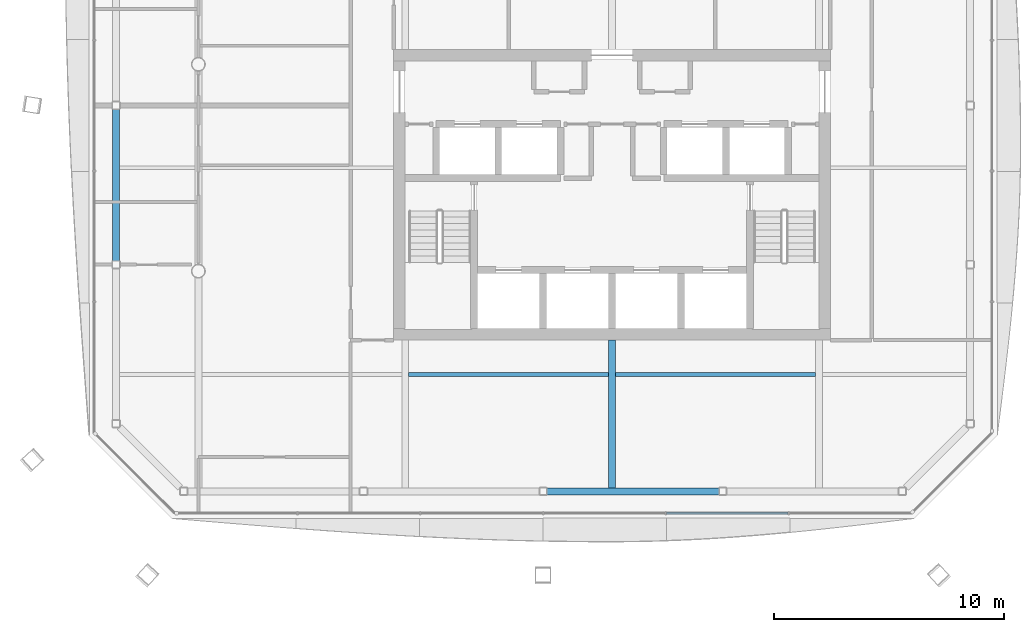
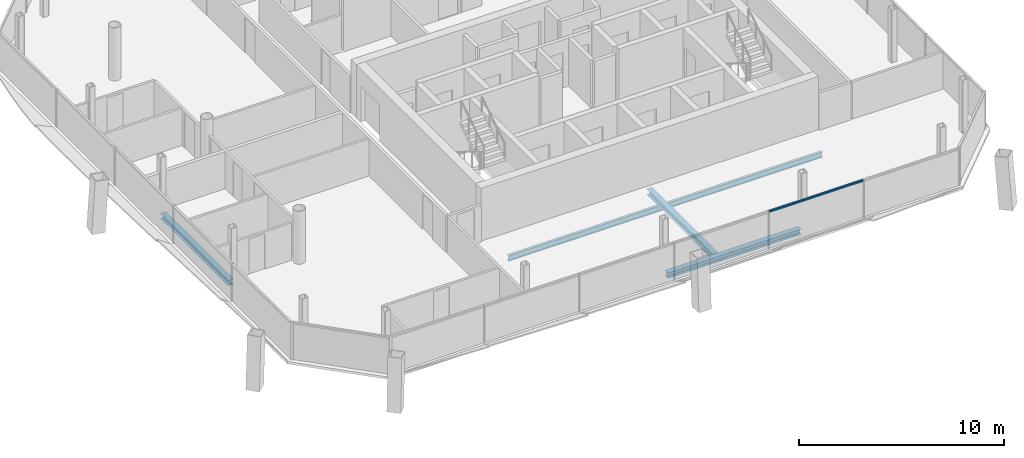
# One storey, part 4 of 19: 5 beams, 1 member, 1 element without a shape of its own.
"""IFC4 building model written with IfcOpenShell, lengths in metres."""

from ifc_helpers import new_model, si_unit, direction, frame, origin, origin_2d, place, context, subcontext, project, spatial, rectangle, i_section, extrude, material, material_profile, profile_set, type_object, element, aggregate, save


model = new_model("IFC4")

# Units and contexts
model_context = context("Model", 3, precision=1e-05, world=origin(), true_north=direction((0.0, 1.0)))
body_context = subcontext(model_context, "Body", "Model", "MODEL_VIEW")
ifc_project = project(units=[si_unit("LENGTHUNIT", "METRE"), si_unit("AREAUNIT", "SQUARE_METRE"), si_unit("VOLUMEUNIT", "CUBIC_METRE"), si_unit("PLANEANGLEUNIT", "RADIAN"), si_unit("MASSUNIT", "GRAM", prefix="KILO")], contexts=[model_context])

# Site, building, storey
site_placement = place(None, origin())
site = spatial("IfcSite", under=ifc_project, at=site_placement, CompositionType="ELEMENT")
building_placement = place(site_placement, origin())
building = spatial("IfcBuilding", under=site, at=building_placement, Name="Tskaro Facet Tower", CompositionType="ELEMENT")
storey_placement = place(building_placement, frame((0.0, 0.0, 206.85009765625)))
storey = spatial("IfcBuildingStorey", under=building, at=storey_placement, Name="L53", CompositionType="ELEMENT", Elevation=206.85009765625)

# Curtain wall, member
ifc_material_1 = material(Name="Bronze anodised aluminium 6063-T6", Category="aluminium")
curtain_wall_type = type_object("IfcCurtainWallType", Name="Bronze residence curtain wall (FW3)", PredefinedType="NOTDEFINED", material=ifc_material_1)
curtain_wall_placement = place(storey_placement, origin())
curtain_wall = element("IfcCurtainWall", 1, at=curtain_wall_placement, inside=storey, type_object=curtain_wall_type, Name="FW3 south facet L53", PredefinedType="NOTDEFINED")
ifc_material_profile_1 = material_profile(ifc_material_1, rectangle(XDim=0.10009765625, YDim=0.090087890625, at=origin_2d()), Name="Transom 100x90")
ifc_profile_set_1 = profile_set([ifc_material_profile_1], Name="Bronze anodised aluminium 6063-T6")
member_type = type_object("IfcMemberType", Name="FW3 bronze transom 100x90", PredefinedType="USERDEFINED", material=ifc_profile_set_1)
member_placement = place(storey_placement, frame((2.366943359375, -19.532958984375, 2.19482421875), z_axis=(1.0, 0.0, 0.0), x_axis=(0.0, 1.0, 0.0)))
member = element("IfcMember", 2, at=member_placement, type_object=member_type, Name="FW3 south transom 5.1", ObjectType="TRANSOM", PredefinedType="USERDEFINED", context=body_context, shape_type="SweptSolid", body=[
    extrude(rectangle(XDim=0.10009765625, YDim=0.090087890625, at=origin_2d()), origin(), (0.0, 0.0, 1.0), 5.2919921875),
])
aggregate(curtain_wall, [member])

# Beams
ifc_material_2 = material(Name="Steel S355J2", Category="steel")
ifc_material_profile_2 = material_profile(ifc_material_2, i_section(OverallWidth=0.300048828125, OverallDepth=0.320068359375, WebThickness=0.011474609375, FlangeThickness=0.0205078125, FilletRadius=0.027099609375, at=origin_2d()), Name="HE 320 B")
ifc_profile_set_2 = profile_set([ifc_material_profile_2], Name="Steel S355J2")
beam_type_1 = type_object("IfcBeamType", Name="HE 320 B ring beam", PredefinedType="BEAM", material=ifc_profile_set_2)
beam_1_placement = place(storey_placement, frame((-2.844970703125, -18.5830078125, -0.300048828125), z_axis=(1.0, 0.0, 0.0), x_axis=(0.0, 1.0, 0.0)))
element("IfcBeam", 3, at=beam_1_placement, inside=storey, type_object=beam_type_1, Name="HE 320 B EB3-4", PredefinedType="BEAM", context=body_context, shape_type="SweptSolid", body=[
    extrude(i_section(OverallWidth=0.300048828125, OverallDepth=0.320068359375, WebThickness=0.011474609375, FlangeThickness=0.0205078125, FilletRadius=0.027099609375, at=origin_2d()), origin(), (0.0, 0.0, 1.0), 7.507080078125),
])
beam_2_placement = place(storey_placement, frame((-21.5830078125, -1.947998046875, -0.300048828125), z_axis=(0.0, -1.0, 0.0), x_axis=(1.0, 0.0, 0.0)))
element("IfcBeam", 4, at=beam_2_placement, inside=storey, type_object=beam_type_1, Name="HE 320 B EB19-4", PredefinedType="BEAM", context=body_context, shape_type="SweptSolid", body=[
    extrude(i_section(OverallWidth=0.300048828125, OverallDepth=0.320068359375, WebThickness=0.011474609375, FlangeThickness=0.0205078125, FilletRadius=0.027099609375, at=origin_2d()), origin(), (0.0, 0.0, 1.0), 6.610107421875),
])
ifc_material_profile_3 = material_profile(ifc_material_2, i_section(OverallWidth=0.300048828125, OverallDepth=0.35009765625, WebThickness=0.010009765625, FlangeThickness=0.017578125, FilletRadius=0.027099609375, at=origin_2d()), Name="HE 360 A")
ifc_profile_set_3 = profile_set([ifc_material_profile_3], Name="Steel S355J2")
beam_type_2 = type_object("IfcBeamType", Name="HE 360 A girder", PredefinedType="BEAM", material=ifc_profile_set_3)
beam_3_placement = place(storey_placement, frame((0.0, -18.43310546875, -0.315185546875), z_axis=(0.0, 1.0, 0.0), x_axis=(-1.0, 0.0, 0.0)))
element("IfcBeam", 5, at=beam_3_placement, inside=storey, type_object=beam_type_2, Name="HE 360 A GB4-1-4", PredefinedType="BEAM", context=body_context, shape_type="SweptSolid", body=[
    extrude(i_section(OverallWidth=0.300048828125, OverallDepth=0.35009765625, WebThickness=0.010009765625, FlangeThickness=0.017578125, FilletRadius=0.027099609375, at=origin_2d()), origin(), (0.0, 0.0, 1.0), 6.43310546875),
])
ifc_material_profile_4 = material_profile(ifc_material_2, i_section(OverallWidth=0.159912109375, OverallDepth=0.330078125, WebThickness=0.007568359375, FlangeThickness=0.011474609375, FilletRadius=0.01806640625, at=origin_2d()), Name="IPE 330")
ifc_profile_set_4 = profile_set([ifc_material_profile_4], Name="Steel S355J2")
beam_type_3 = type_object("IfcBeamType", Name="IPE 330 secondary beam", PredefinedType="BEAM", material=ifc_profile_set_4)
for number, where, z_axis, x_axis, name in (
    (6, (-8.85009765625, -13.5, -0.30517578125), (1.0, 0.0, 0.0), (0.0, 1.0, 0.0), "IPE 330 SB2a-3-4"),
    (7, (0.14990234375, -13.5, -0.30517578125), (1.0, 0.0, 0.0), (0.0, 1.0, 0.0), "IPE 330 SB2a-4-4"),
):
    element("IfcBeam", number, at=place(storey_placement, frame(where, z_axis=z_axis, x_axis=x_axis)), inside=storey, type_object=beam_type_3, Name=name, PredefinedType="BEAM", context=body_context, shape_type="SweptSolid", body=[
        extrude(i_section(OverallWidth=0.159912109375, OverallDepth=0.330078125, WebThickness=0.007568359375, FlangeThickness=0.011474609375, FilletRadius=0.01806640625, at=origin_2d()), origin(), (0.0, 0.0, 1.0), 8.7001953125),
    ])

save(model, "model.ifc")
